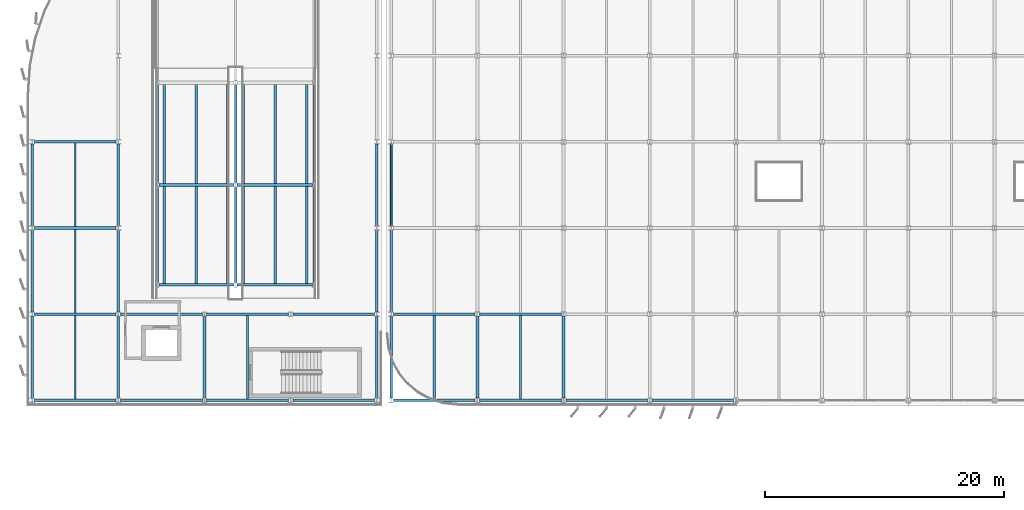
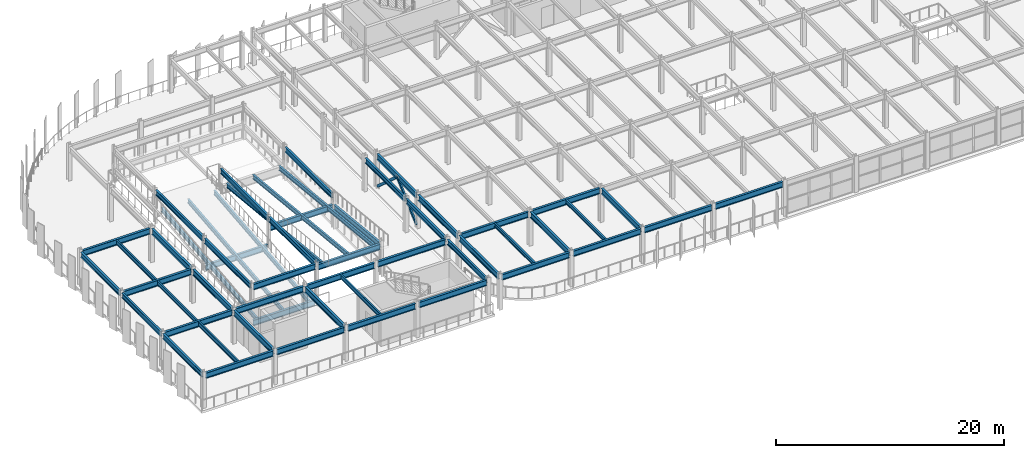
# One storey, part 14 of 52: 54 beams, 2 members.
"""IFC4 building model written with IfcOpenShell, lengths in metres."""

from ifc_helpers import new_model, si_unit, direction, frame, origin, origin_2d, place, context, subcontext, project, spatial, hollow_rectangle, i_section, extrude, material, material_profile, profile_set, type_object, element, save


model = new_model("IFC4")

# Units and contexts
model_context = context("Model", 3, precision=1e-05, world=origin(), true_north=direction((0.0, 1.0)))
body_context = subcontext(model_context, "Body", "Model", "MODEL_VIEW")
ifc_project = project(units=[si_unit("LENGTHUNIT", "METRE"), si_unit("AREAUNIT", "SQUARE_METRE"), si_unit("VOLUMEUNIT", "CUBIC_METRE"), si_unit("PLANEANGLEUNIT", "RADIAN"), si_unit("MASSUNIT", "GRAM", prefix="KILO")], contexts=[model_context])

# Site, building, storey
site_placement = place(None, origin())
site = spatial("IfcSite", under=ifc_project, at=site_placement, CompositionType="ELEMENT")
building_placement = place(site_placement, origin())
building = spatial("IfcBuilding", under=site, at=building_placement, Name="Vaelcorin Mobility Hub", CompositionType="ELEMENT")
storey_placement = place(building_placement, frame((0.0, 0.0, 13.199951171875)))
storey = spatial("IfcBuildingStorey", under=building, at=storey_placement, Name="L03", CompositionType="ELEMENT", Elevation=13.199951171875)

# Beams
ifc_material_1 = material(Name="Steel ASTM A992 Grade 50", Category="steel")
ifc_material_profile_1 = material_profile(ifc_material_1, i_section(OverallWidth=0.177978515625, OverallDepth=0.404052734375, WebThickness=0.007568359375, FlangeThickness=0.010986328125, FilletRadius=0.012939453125, at=origin_2d()), Name="W16X36")
ifc_profile_set_1 = profile_set([ifc_material_profile_1], Name="Steel ASTM A992 Grade 50")
beam_type_1 = type_object("IfcBeamType", Name="BM-W16X36", PredefinedType="JOIST", material=ifc_profile_set_1)
for number, where, z_axis, x_axis, name in (
    (1, (39.60009765625, 76.912109375, 3.47802734375), (0.0, 1.0, 0.0), (-1.0, 0.0, 0.0), "L03 Beam V4VR-L03-J-01-01-1"),
    (2, (46.800048828125, 76.912109375, 3.47802734375), (0.0, 1.0, 0.0), (-1.0, 0.0, 0.0), "L03 Beam V4VR-L03-J-02-01-1"),
):
    element("IfcBeam", number, at=place(storey_placement, frame(where, z_axis=z_axis, x_axis=x_axis)), inside=storey, type_object=beam_type_1, Name=name, PredefinedType="JOIST", context=body_context, shape_type="SweptSolid", body=[
        extrude(i_section(OverallWidth=0.177978515625, OverallDepth=0.404052734375, WebThickness=0.007568359375, FlangeThickness=0.010986328125, FilletRadius=0.012939453125, at=origin_2d()), origin(), (0.0, 0.0, 1.0), 6.975830078125),
    ])
ifc_material_profile_2 = material_profile(ifc_material_1, i_section(OverallWidth=0.152099609375, OverallDepth=0.455078125, WebThickness=0.008056640625, FlangeThickness=0.01318359375, FilletRadius=0.012939453125, at=origin_2d()), Name="W18X40")
ifc_profile_set_2 = profile_set([ifc_material_profile_2], Name="Steel ASTM A992 Grade 50")
beam_type_2 = type_object("IfcBeamType", Name="BM-W18X40", PredefinedType="JOIST", material=ifc_profile_set_2)
for number, where, z_axis, x_axis, name in (
    (3, (9.60009765625, 76.912109375, 3.423095703125), (0.0, 1.0, 0.0), (-1.0, 0.0, 0.0), "L03 Beam V2W-L03-J-01-01-1"),
    (4, (9.60009765625, 84.112060546875, 3.423095703125), (0.0, 1.0, 0.0), (-1.0, 0.0, 0.0), "L03 Beam V2W-L03-J-01-02-1"),
):
    element("IfcBeam", number, at=place(storey_placement, frame(where, z_axis=z_axis, x_axis=x_axis)), inside=storey, type_object=beam_type_2, Name=name, PredefinedType="JOIST", context=body_context, shape_type="SweptSolid", body=[
        extrude(i_section(OverallWidth=0.152099609375, OverallDepth=0.455078125, WebThickness=0.008056640625, FlangeThickness=0.01318359375, FilletRadius=0.012939453125, at=origin_2d()), origin(), (0.0, 0.0, 1.0), 6.975830078125),
    ])
beam_1_placement = place(storey_placement, frame((9.60009765625, 91.31201171875, 3.423095703125), z_axis=(0.0, 1.0, 0.0), x_axis=(-1.0, 0.0, 0.0)))
element("IfcBeam", 5, at=beam_1_placement, inside=storey, type_object=beam_type_2, Name="L03 Beam V2W-L03-J-01-03-1", PredefinedType="JOIST", context=body_context, shape_type="SweptSolid", body=[
    extrude(i_section(OverallWidth=0.152099609375, OverallDepth=0.455078125, WebThickness=0.008056640625, FlangeThickness=0.01318359375, FilletRadius=0.012939453125, at=origin_2d()), origin(), (0.0, 0.0, 1.0), 6.97607421875),
])
beam_2_placement = place(storey_placement, frame((24.0, 76.912109375, 3.423095703125), z_axis=(0.0, 1.0, 0.0), x_axis=(-1.0, 0.0, 0.0)))
element("IfcBeam", 6, at=beam_2_placement, inside=storey, type_object=beam_type_2, Name="L03 Beam V2W-L03-J-03-01-1", PredefinedType="JOIST", context=body_context, shape_type="SweptSolid", body=[
    extrude(i_section(OverallWidth=0.152099609375, OverallDepth=0.455078125, WebThickness=0.008056640625, FlangeThickness=0.01318359375, FilletRadius=0.012939453125, at=origin_2d()), origin(), (0.0, 0.0, 1.0), 6.975830078125),
])
ifc_material_profile_3 = material_profile(ifc_material_1, i_section(OverallWidth=0.19091796875, OverallDepth=0.4599609375, WebThickness=0.010009765625, FlangeThickness=0.01611328125, FilletRadius=0.012939453125, at=origin_2d()), Name="W18X55")
ifc_profile_set_3 = profile_set([ifc_material_profile_3], Name="Steel ASTM A992 Grade 50")
beam_type_3 = type_object("IfcBeamType", Name="BM-W18X55", PredefinedType="JOIST", material=ifc_profile_set_3)
for number, where, z_axis, x_axis, name in (
    (7, (17.050048828125, 86.56005859375, -0.390869140625), (0.0, 0.994871619251, 0.101145742412), (-1.0, 0.0, 0.0), "Vehicle Ramp VR-1 L03 Flight 1 Stringer 1"),
    (8, (19.699951171875, 86.56005859375, -0.390869140625), (0.0, 0.994871619251, 0.101145742412), (-1.0, 0.0, 0.0), "Vehicle Ramp VR-1 L03 Flight 1 Stringer 2"),
    (9, (22.35009765625, 86.56005859375, -0.390869140625), (0.0, 0.994871619251, 0.101145742412), (-1.0, 0.0, 0.0), "Vehicle Ramp VR-1 L03 Flight 1 Stringer 3"),
    (10, (23.64990234375, 103.239990234375, 1.570068359375), (0.0, -0.994876014241, 0.10110250387), (1.0, 0.0, 0.0), "Vehicle Ramp VR-1 L03 Flight 2 Stringer 1"),
    (11, (26.300048828125, 103.239990234375, 1.570068359375), (0.0, -0.994876014241, 0.10110250387), (1.0, 0.0, 0.0), "Vehicle Ramp VR-1 L03 Flight 2 Stringer 2"),
    (12, (28.949951171875, 103.239990234375, 1.570068359375), (0.0, -0.994876014241, 0.10110250387), (1.0, 0.0, 0.0), "Vehicle Ramp VR-1 L03 Flight 2 Stringer 3"),
):
    element("IfcBeam", number, at=place(storey_placement, frame(where, z_axis=z_axis, x_axis=x_axis)), inside=storey, type_object=beam_type_3, Name=name, PredefinedType="JOIST", context=body_context, shape_type="SweptSolid", body=[
        extrude(i_section(OverallWidth=0.19091796875, OverallDepth=0.4599609375, WebThickness=0.010009765625, FlangeThickness=0.01611328125, FilletRadius=0.012939453125, at=origin_2d()), origin(), (0.0, 0.0, 1.0), 16.765869140625),
    ])
ifc_material_profile_4 = material_profile(ifc_material_1, i_section(OverallWidth=0.2099609375, OverallDepth=0.535888671875, WebThickness=0.010986328125, FlangeThickness=0.017333984375, FilletRadius=0.013916015625, at=origin_2d()), Name="W21X68")
ifc_profile_set_4 = profile_set([ifc_material_profile_4], Name="Steel ASTM A992 Grade 50")
beam_type_4 = type_object("IfcBeamType", Name="BM-W21X68", PredefinedType="SPANDREL", material=ifc_profile_set_4)
for number, where, z_axis, x_axis, name in (
    (13, (6.0, 76.97607421875, 3.382080078125), (0.0, 1.0, 0.0), (-1.0, 0.0, 0.0), "L03 Beam V2W-L03-GY-01-01"),
    (14, (6.0, 84.176025390625, 3.382080078125), (0.0, 1.0, 0.0), (-1.0, 0.0, 0.0), "L03 Beam V2W-L03-GY-01-02"),
):
    element("IfcBeam", number, at=place(storey_placement, frame(where, z_axis=z_axis, x_axis=x_axis)), inside=storey, type_object=beam_type_4, Name=name, PredefinedType="SPANDREL", context=body_context, shape_type="SweptSolid", body=[
        extrude(i_section(OverallWidth=0.2099609375, OverallDepth=0.535888671875, WebThickness=0.010986328125, FlangeThickness=0.017333984375, FilletRadius=0.013916015625, at=origin_2d()), origin(), (0.0, 0.0, 1.0), 6.847900390625),
    ])
beam_3_placement = place(storey_placement, frame((6.0, 91.3759765625, 3.382080078125), z_axis=(0.0, 1.0, 0.0), x_axis=(-1.0, 0.0, 0.0)))
element("IfcBeam", 15, at=beam_3_placement, inside=storey, type_object=beam_type_4, Name="L03 Beam V2W-L03-GY-01-03", PredefinedType="SPANDREL", context=body_context, shape_type="SweptSolid", body=[
    extrude(i_section(OverallWidth=0.2099609375, OverallDepth=0.535888671875, WebThickness=0.010986328125, FlangeThickness=0.017333984375, FilletRadius=0.013916015625, at=origin_2d()), origin(), (0.0, 0.0, 1.0), 6.84814453125),
])
for number, where, z_axis, x_axis, name in (
    (16, (34.800048828125, 76.97607421875, 3.382080078125), (0.0, 1.0, 0.0), (-1.0, 0.0, 0.0), "L03 Beam V2W-L03-GY-05-01"),
    (17, (34.800048828125, 84.176025390625, 3.382080078125), (0.0, 1.0, 0.0), (-1.0, 0.0, 0.0), "L03 Beam V2W-L03-GY-05-02"),
):
    element("IfcBeam", number, at=place(storey_placement, frame(where, z_axis=z_axis, x_axis=x_axis)), inside=storey, type_object=beam_type_4, Name=name, PredefinedType="SPANDREL", context=body_context, shape_type="SweptSolid", body=[
        extrude(i_section(OverallWidth=0.2099609375, OverallDepth=0.535888671875, WebThickness=0.010986328125, FlangeThickness=0.017333984375, FilletRadius=0.013916015625, at=origin_2d()), origin(), (0.0, 0.0, 1.0), 6.847900390625),
    ])
beam_4_placement = place(storey_placement, frame((34.800048828125, 91.3759765625, 3.382080078125), z_axis=(0.0, 1.0, 0.0), x_axis=(-1.0, 0.0, 0.0)))
element("IfcBeam", 18, at=beam_4_placement, inside=storey, type_object=beam_type_4, Name="L03 Beam V2W-L03-GY-05-03", PredefinedType="SPANDREL", context=body_context, shape_type="SweptSolid", body=[
    extrude(i_section(OverallWidth=0.2099609375, OverallDepth=0.535888671875, WebThickness=0.010986328125, FlangeThickness=0.017333984375, FilletRadius=0.013916015625, at=origin_2d()), origin(), (0.0, 0.0, 1.0), 6.84814453125),
])
beam_5_placement = place(storey_placement, frame((16.449951171875, 86.625, 3.382080078125), z_axis=(0.0, 1.0, 0.0), x_axis=(-1.0, 0.0, 0.0)))
element("IfcBeam", 19, at=beam_5_placement, inside=storey, type_object=beam_type_4, Name="V2W Ramp Top Tie W1", PredefinedType="SPANDREL", context=body_context, shape_type="SweptSolid", body=[
    extrude(i_section(OverallWidth=0.2099609375, OverallDepth=0.535888671875, WebThickness=0.010986328125, FlangeThickness=0.017333984375, FilletRadius=0.013916015625, at=origin_2d()), origin(), (0.0, 0.0, 1.0), 8.0),
])
beam_6_placement = place(storey_placement, frame((16.449951171875, 94.97509765625, 3.382080078125), z_axis=(0.0, 1.0, 0.0), x_axis=(-1.0, 0.0, 0.0)))
element("IfcBeam", 20, at=beam_6_placement, inside=storey, type_object=beam_type_4, Name="V2W Ramp Top Tie W2", PredefinedType="SPANDREL", context=body_context, shape_type="SweptSolid", body=[
    extrude(i_section(OverallWidth=0.2099609375, OverallDepth=0.535888671875, WebThickness=0.010986328125, FlangeThickness=0.017333984375, FilletRadius=0.013916015625, at=origin_2d()), origin(), (0.0, 0.0, 1.0), 8.199951171875),
])
beam_7_placement = place(storey_placement, frame((23.0, 86.625, 3.382080078125), z_axis=(0.0, 1.0, 0.0), x_axis=(-1.0, 0.0, 0.0)))
element("IfcBeam", 21, at=beam_7_placement, inside=storey, type_object=beam_type_4, Name="V2W Ramp Top Tie M1", PredefinedType="SPANDREL", context=body_context, shape_type="SweptSolid", body=[
    extrude(i_section(OverallWidth=0.2099609375, OverallDepth=0.535888671875, WebThickness=0.010986328125, FlangeThickness=0.017333984375, FilletRadius=0.013916015625, at=origin_2d()), origin(), (0.0, 0.0, 1.0), 8.0),
])
beam_8_placement = place(storey_placement, frame((23.0, 94.97509765625, 3.382080078125), z_axis=(0.0, 1.0, 0.0), x_axis=(-1.0, 0.0, 0.0)))
element("IfcBeam", 22, at=beam_8_placement, inside=storey, type_object=beam_type_4, Name="V2W Ramp Top Tie M2", PredefinedType="SPANDREL", context=body_context, shape_type="SweptSolid", body=[
    extrude(i_section(OverallWidth=0.2099609375, OverallDepth=0.535888671875, WebThickness=0.010986328125, FlangeThickness=0.017333984375, FilletRadius=0.013916015625, at=origin_2d()), origin(), (0.0, 0.0, 1.0), 8.199951171875),
])
beam_9_placement = place(storey_placement, frame((29.550048828125, 86.625, 3.208984375), z_axis=(0.0, 0.994863760073, -0.101223015628), x_axis=(-1.0, 0.0, 0.0)))
element("IfcBeam", 23, at=beam_9_placement, inside=storey, type_object=beam_type_4, Name="V2W Ramp Top Tie E1", PredefinedType="SPANDREL", context=body_context, shape_type="SweptSolid", body=[
    extrude(i_section(OverallWidth=0.2099609375, OverallDepth=0.535888671875, WebThickness=0.010986328125, FlangeThickness=0.017333984375, FilletRadius=0.013916015625, at=origin_2d()), origin(), (0.0, 0.0, 1.0), 8.041259765625),
])
beam_10_placement = place(storey_placement, frame((29.550048828125, 94.97509765625, 3.382080078125), z_axis=(0.0, 1.0, 0.0), x_axis=(-1.0, 0.0, 0.0)))
element("IfcBeam", 24, at=beam_10_placement, inside=storey, type_object=beam_type_4, Name="V2W Ramp Top Tie E2", PredefinedType="SPANDREL", context=body_context, shape_type="SweptSolid", body=[
    extrude(i_section(OverallWidth=0.2099609375, OverallDepth=0.535888671875, WebThickness=0.010986328125, FlangeThickness=0.017333984375, FilletRadius=0.013916015625, at=origin_2d()), origin(), (0.0, 0.0, 1.0), 8.199951171875),
])
ifc_material_profile_5 = material_profile(ifc_material_1, i_section(OverallWidth=0.22802734375, OverallDepth=0.60205078125, WebThickness=0.010498046875, FlangeThickness=0.014892578125, FilletRadius=0.014892578125, at=origin_2d()), Name="W24X68")
ifc_profile_set_5 = profile_set([ifc_material_profile_5], Name="Steel ASTM A992 Grade 50")
beam_type_5 = type_object("IfcBeamType", Name="BM-W24X68", PredefinedType="SPANDREL", material=ifc_profile_set_5)
for number, where, z_axis, x_axis, name in (
    (25, (36.18408203125, 84.0, 3.359130859375), (1.0, 0.0, 0.0), (0.0, 1.0, 0.0), "L03 Beam V4-L03-GX-01-01"),
    (26, (43.384033203125, 84.0, 3.359130859375), (1.0, 0.0, 0.0), (0.0, 1.0, 0.0), "L03 Beam V4-L03-GX-01-02"),
):
    element("IfcBeam", number, at=place(storey_placement, frame(where, z_axis=z_axis, x_axis=x_axis)), inside=storey, type_object=beam_type_5, Name=name, PredefinedType="SPANDREL", context=body_context, shape_type="SweptSolid", body=[
        extrude(i_section(OverallWidth=0.22802734375, OverallDepth=0.60205078125, WebThickness=0.010498046875, FlangeThickness=0.014892578125, FilletRadius=0.014892578125, at=origin_2d()), origin(), (0.0, 0.0, 1.0), 6.83203125),
    ])
beam_11_placement = place(storey_placement, frame((36.0, 84.18408203125, 3.359130859375), z_axis=(0.0, 1.0, 0.0), x_axis=(-1.0, 0.0, 0.0)))
element("IfcBeam", 27, at=beam_11_placement, inside=storey, type_object=beam_type_5, Name="L03 Beam V4-L03-GY-01-01", PredefinedType="SPANDREL", context=body_context, shape_type="SweptSolid", body=[
    extrude(i_section(OverallWidth=0.22802734375, OverallDepth=0.60205078125, WebThickness=0.010498046875, FlangeThickness=0.014892578125, FilletRadius=0.014892578125, at=origin_2d()), origin(), (0.0, 0.0, 1.0), 6.8359375),
])
beam_12_placement = place(storey_placement, frame((36.0, 91.3798828125, 3.359130859375), z_axis=(0.0, 1.0, 0.0), x_axis=(-1.0, 0.0, 0.0)))
element("IfcBeam", 28, at=beam_12_placement, inside=storey, type_object=beam_type_5, Name="L03 Beam V4-L03-GY-01-02", PredefinedType="SPANDREL", context=body_context, shape_type="SweptSolid", body=[
    extrude(i_section(OverallWidth=0.22802734375, OverallDepth=0.60205078125, WebThickness=0.010498046875, FlangeThickness=0.014892578125, FilletRadius=0.014892578125, at=origin_2d()), origin(), (0.0, 0.0, 1.0), 6.840087890625),
])
for number, where, z_axis, x_axis, name in (
    (29, (36.18408203125, 76.800048828125, 3.379150390625), (1.0, 0.0, 0.0), (0.0, 1.0, 0.0), "L03 Beam V4VR-L03-GX-01-01"),
    (30, (43.384033203125, 76.800048828125, 3.379150390625), (1.0, 0.0, 0.0), (0.0, 1.0, 0.0), "L03 Beam V4VR-L03-GX-01-02"),
    (31, (50.583984375, 76.800048828125, 3.379150390625), (1.0, 0.0, 0.0), (0.0, 1.0, 0.0), "L03 Beam V4VR-L03-GX-01-03"),
    (32, (57.783935546875, 76.800048828125, 3.379150390625), (1.0, 0.0, 0.0), (0.0, 1.0, 0.0), "L03 Beam V4VR-L03-GX-01-04"),
):
    element("IfcBeam", number, at=place(storey_placement, frame(where, z_axis=z_axis, x_axis=x_axis)), inside=storey, type_object=beam_type_5, Name=name, PredefinedType="SPANDREL", context=body_context, shape_type="SweptSolid", body=[
        extrude(i_section(OverallWidth=0.22802734375, OverallDepth=0.60205078125, WebThickness=0.010498046875, FlangeThickness=0.014892578125, FilletRadius=0.014892578125, at=origin_2d()), origin(), (0.0, 0.0, 1.0), 6.83203125),
    ])
for number, where, z_axis, x_axis, name in (
    (33, (36.0, 76.97998046875, 3.379150390625), (0.0, 1.0, 0.0), (-1.0, 0.0, 0.0), "L03 Beam V4VR-L03-GY-01-01"),
    (34, (43.199951171875, 76.97998046875, 3.379150390625), (0.0, 1.0, 0.0), (-1.0, 0.0, 0.0), "L03 Beam V4VR-L03-GY-02-01"),
    (35, (50.39990234375, 76.97998046875, 3.379150390625), (0.0, 1.0, 0.0), (-1.0, 0.0, 0.0), "L03 Beam V4VR-L03-GY-03-01"),
):
    element("IfcBeam", number, at=place(storey_placement, frame(where, z_axis=z_axis, x_axis=x_axis)), inside=storey, type_object=beam_type_5, Name=name, PredefinedType="SPANDREL", context=body_context, shape_type="SweptSolid", body=[
        extrude(i_section(OverallWidth=0.22802734375, OverallDepth=0.60205078125, WebThickness=0.010498046875, FlangeThickness=0.014892578125, FilletRadius=0.014892578125, at=origin_2d()), origin(), (0.0, 0.0, 1.0), 6.8359375),
    ])
beam_13_placement = place(storey_placement, frame((6.181884765625, 76.800048828125, 3.34912109375), z_axis=(1.0, 0.0, 0.0), x_axis=(0.0, 1.0, 0.0)))
element("IfcBeam", 36, at=beam_13_placement, inside=storey, type_object=beam_type_5, Name="L03 Beam V2W-L03-GX-01-01", PredefinedType="SPANDREL", context=body_context, shape_type="SweptSolid", body=[
    extrude(i_section(OverallWidth=0.22802734375, OverallDepth=0.60205078125, WebThickness=0.010498046875, FlangeThickness=0.014892578125, FilletRadius=0.014892578125, at=origin_2d()), origin(), (0.0, 0.0, 1.0), 6.836181640625),
])
for number, where, z_axis, x_axis, name in (
    (37, (13.382080078125, 76.800048828125, 3.34912109375), (1.0, 0.0, 0.0), (0.0, 1.0, 0.0), "L03 Beam V2W-L03-GX-01-02"),
    (38, (20.58203125, 76.800048828125, 3.34912109375), (1.0, 0.0, 0.0), (0.0, 1.0, 0.0), "L03 Beam V2W-L03-GX-01-03"),
    (39, (27.781982421875, 76.800048828125, 3.34912109375), (1.0, 0.0, 0.0), (0.0, 1.0, 0.0), "L03 Beam V2W-L03-GX-01-04"),
):
    element("IfcBeam", number, at=place(storey_placement, frame(where, z_axis=z_axis, x_axis=x_axis)), inside=storey, type_object=beam_type_5, Name=name, PredefinedType="SPANDREL", context=body_context, shape_type="SweptSolid", body=[
        extrude(i_section(OverallWidth=0.22802734375, OverallDepth=0.60205078125, WebThickness=0.010498046875, FlangeThickness=0.014892578125, FilletRadius=0.014892578125, at=origin_2d()), origin(), (0.0, 0.0, 1.0), 6.8359375),
    ])
ifc_material_profile_6 = material_profile(ifc_material_1, i_section(OverallWidth=0.22900390625, OverallDepth=0.612060546875, WebThickness=0.011962890625, FlangeThickness=0.01953125, FilletRadius=0.014892578125, at=origin_2d()), Name="W24X84")
ifc_profile_set_6 = profile_set([ifc_material_profile_6], Name="Steel ASTM A992 Grade 50")
beam_type_6 = type_object("IfcBeamType", Name="BM-W24X84", PredefinedType="BEAM", material=ifc_profile_set_6)
beam_14_placement = place(storey_placement, frame((6.181884765625, 84.0, 3.343994140625), z_axis=(1.0, 0.0, 0.0), x_axis=(0.0, 1.0, 0.0)))
element("IfcBeam", 40, at=beam_14_placement, inside=storey, type_object=beam_type_6, Name="L03 Beam V2W-L03-GX-02-01", PredefinedType="BEAM", context=body_context, shape_type="SweptSolid", body=[
    extrude(i_section(OverallWidth=0.22900390625, OverallDepth=0.612060546875, WebThickness=0.011962890625, FlangeThickness=0.01953125, FilletRadius=0.014892578125, at=origin_2d()), origin(), (0.0, 0.0, 1.0), 6.836181640625),
])
for number, where, z_axis, x_axis, name in (
    (41, (13.382080078125, 84.0, 3.343994140625), (1.0, 0.0, 0.0), (0.0, 1.0, 0.0), "L03 Beam V2W-L03-GX-02-02"),
    (42, (20.58203125, 84.0, 3.343994140625), (1.0, 0.0, 0.0), (0.0, 1.0, 0.0), "L03 Beam V2W-L03-GX-02-03"),
    (43, (27.781982421875, 84.0, 3.343994140625), (1.0, 0.0, 0.0), (0.0, 1.0, 0.0), "L03 Beam V2W-L03-GX-02-04"),
):
    element("IfcBeam", number, at=place(storey_placement, frame(where, z_axis=z_axis, x_axis=x_axis)), inside=storey, type_object=beam_type_6, Name=name, PredefinedType="BEAM", context=body_context, shape_type="SweptSolid", body=[
        extrude(i_section(OverallWidth=0.22900390625, OverallDepth=0.612060546875, WebThickness=0.011962890625, FlangeThickness=0.01953125, FilletRadius=0.014892578125, at=origin_2d()), origin(), (0.0, 0.0, 1.0), 6.8359375),
    ])
for number, where, z_axis, x_axis, name in (
    (44, (6.181884765625, 91.199951171875, 3.343994140625), (1.0, 0.0, 0.0), (0.0, 1.0, 0.0), "L03 Beam V2W-L03-GX-03-01"),
    (45, (6.181884765625, 98.39990234375, 3.343994140625), (1.0, 0.0, 0.0), (0.0, 1.0, 0.0), "L03 Beam V2W-L03-GX-04-01"),
):
    element("IfcBeam", number, at=place(storey_placement, frame(where, z_axis=z_axis, x_axis=x_axis)), inside=storey, type_object=beam_type_6, Name=name, PredefinedType="BEAM", context=body_context, shape_type="SweptSolid", body=[
        extrude(i_section(OverallWidth=0.22900390625, OverallDepth=0.612060546875, WebThickness=0.011962890625, FlangeThickness=0.01953125, FilletRadius=0.014892578125, at=origin_2d()), origin(), (0.0, 0.0, 1.0), 6.836181640625),
    ])
for number, where, z_axis, x_axis, name in (
    (46, (13.199951171875, 76.97607421875, 3.343994140625), (0.0, 1.0, 0.0), (-1.0, 0.0, 0.0), "L03 Beam V2W-L03-GY-02-01"),
    (47, (13.199951171875, 84.176025390625, 3.343994140625), (0.0, 1.0, 0.0), (-1.0, 0.0, 0.0), "L03 Beam V2W-L03-GY-02-02"),
):
    element("IfcBeam", number, at=place(storey_placement, frame(where, z_axis=z_axis, x_axis=x_axis)), inside=storey, type_object=beam_type_6, Name=name, PredefinedType="BEAM", context=body_context, shape_type="SweptSolid", body=[
        extrude(i_section(OverallWidth=0.22900390625, OverallDepth=0.612060546875, WebThickness=0.011962890625, FlangeThickness=0.01953125, FilletRadius=0.014892578125, at=origin_2d()), origin(), (0.0, 0.0, 1.0), 6.847900390625),
    ])
beam_15_placement = place(storey_placement, frame((13.199951171875, 91.3759765625, 3.343994140625), z_axis=(0.0, 1.0, 0.0), x_axis=(-1.0, 0.0, 0.0)))
element("IfcBeam", 48, at=beam_15_placement, inside=storey, type_object=beam_type_6, Name="L03 Beam V2W-L03-GY-02-03", PredefinedType="BEAM", context=body_context, shape_type="SweptSolid", body=[
    extrude(i_section(OverallWidth=0.22900390625, OverallDepth=0.612060546875, WebThickness=0.011962890625, FlangeThickness=0.01953125, FilletRadius=0.014892578125, at=origin_2d()), origin(), (0.0, 0.0, 1.0), 6.84814453125),
])
beam_16_placement = place(storey_placement, frame((20.39990234375, 76.97607421875, 3.343994140625), z_axis=(0.0, 1.0, 0.0), x_axis=(-1.0, 0.0, 0.0)))
element("IfcBeam", 49, at=beam_16_placement, inside=storey, type_object=beam_type_6, Name="L03 Beam V2W-L03-GY-03-01", PredefinedType="BEAM", context=body_context, shape_type="SweptSolid", body=[
    extrude(i_section(OverallWidth=0.22900390625, OverallDepth=0.612060546875, WebThickness=0.011962890625, FlangeThickness=0.01953125, FilletRadius=0.014892578125, at=origin_2d()), origin(), (0.0, 0.0, 1.0), 6.847900390625),
])
for number, where, z_axis, x_axis, name in (
    (50, (16.580078125, 86.449951171875, -0.4990234375), (1.0, 0.0, 0.0), (0.0, 1.0, 0.0), "Vehicle Ramp VR-1 L03 Bent Girder F1S"),
    (51, (16.580078125, 94.800048828125, 0.35009765625), (1.0, 0.0, 0.0), (0.0, 1.0, 0.0), "Vehicle Ramp VR-1 L03 Bent Girder F1M"),
    (52, (23.1298828125, 94.800048828125, 2.3310546875), (1.0, 0.0, 0.0), (0.0, 1.0, 0.0), "Vehicle Ramp VR-1 L03 Bent Girder F2M"),
    (53, (23.1298828125, 86.449951171875, 3.179931640625), (1.0, 0.0, 0.0), (0.0, 1.0, 0.0), "Vehicle Ramp VR-1 L03 Bent Girder F2S"),
    (54, (16.580078125, 86.449951171875, 3.343994140625), (1.0, 0.0, 0.0), (0.0, 1.0, 0.0), "V2W Ramp Top Tie Girder SW"),
):
    element("IfcBeam", number, at=place(storey_placement, frame(where, z_axis=z_axis, x_axis=x_axis)), inside=storey, type_object=beam_type_6, Name=name, PredefinedType="BEAM", context=body_context, shape_type="SweptSolid", body=[
        extrude(i_section(OverallWidth=0.22900390625, OverallDepth=0.612060546875, WebThickness=0.011962890625, FlangeThickness=0.01953125, FilletRadius=0.014892578125, at=origin_2d()), origin(), (0.0, 0.0, 1.0), 6.2900390625),
    ])

# Members
ifc_material_2 = material(Name="Steel ASTM A500 Grade C", Category="steel")
ifc_material_profile_7 = material_profile(ifc_material_2, hollow_rectangle(XDim=0.15234375, YDim=0.25390625, WallThickness=0.01171875, at=origin_2d()), Name="HSS10X6X0.500")
ifc_profile_set_7 = profile_set([ifc_material_profile_7], Name="Steel ASTM A500 Grade C")
member_type = type_object("IfcMemberType", Name="BR-SCBF-10X6", PredefinedType="BRACE", material=ifc_profile_set_7)
member_1_placement = place(storey_placement, frame((36.0, 91.389892578125, 0.179931640625), z_axis=(0.0, 0.74319360332, 0.669076429106), x_axis=(-1.0, 0.0, 0.0)))
element("IfcMember", 55, at=member_1_placement, inside=storey, type_object=member_type, Name="SCBF Chevron Brace V4-BY1-L03-A", PredefinedType="BRACE", context=body_context, shape_type="SweptSolid", body=[
    extrude(hollow_rectangle(XDim=0.15234375, YDim=0.25390625, WallThickness=0.01171875, at=origin_2d()), origin(), (0.0, 0.0, 1.0), 4.588623046875),
])
member_2_placement = place(storey_placement, frame((36.0, 98.2099609375, 0.179931640625), z_axis=(0.0, -0.743169783144, 0.669102887022), x_axis=(1.0, 0.0, 0.0)))
element("IfcMember", 56, at=member_2_placement, inside=storey, type_object=member_type, Name="SCBF Chevron Brace V4-BY1-L03-B", PredefinedType="BRACE", context=body_context, shape_type="SweptSolid", body=[
    extrude(hollow_rectangle(XDim=0.15234375, YDim=0.25390625, WallThickness=0.01171875, at=origin_2d()), origin(), (0.0, 0.0, 1.0), 4.58837890625),
])

save(model, "model.ifc")
